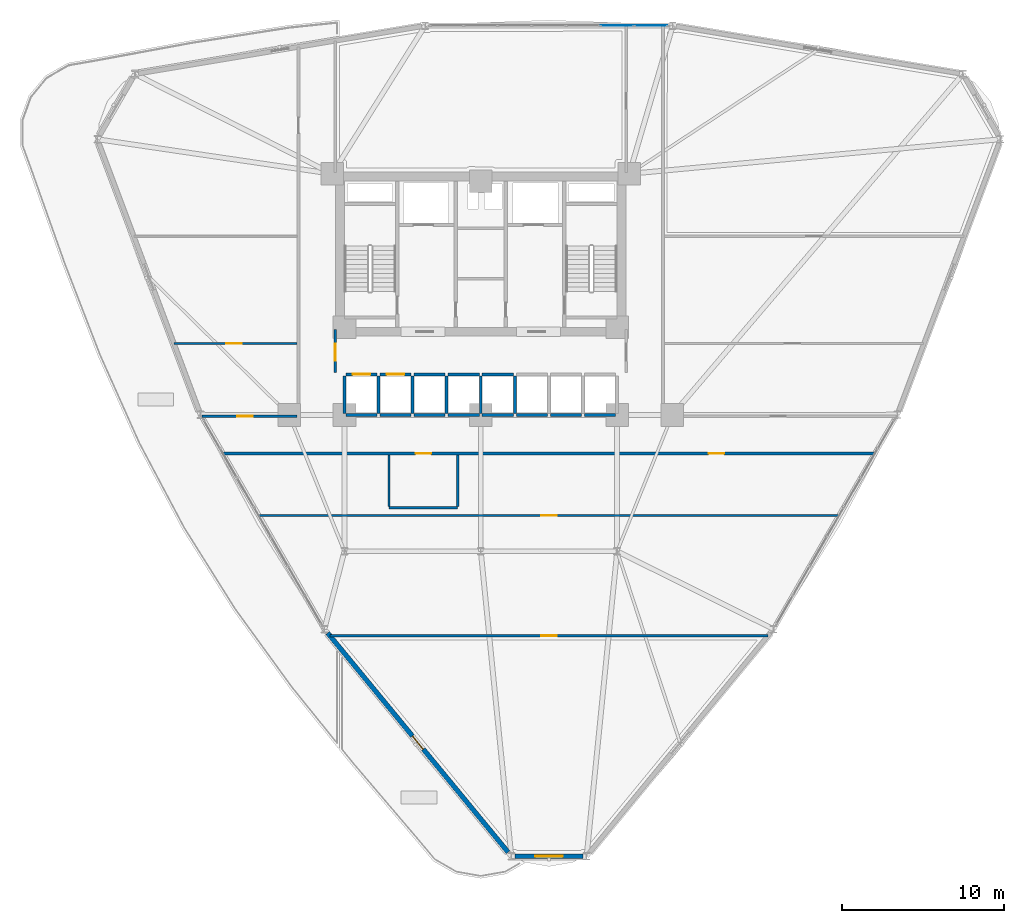
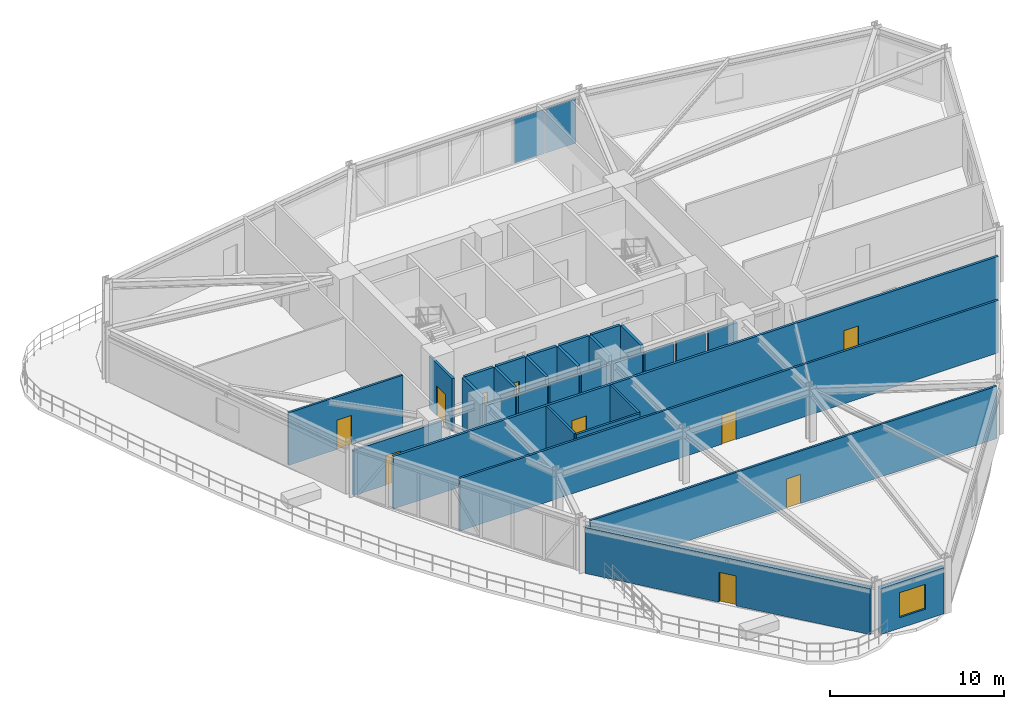
# One storey, part 14 of 21: 30 walls, 10 doors, 2 plates, 1 window, 11 openings, 1 element without a shape of its own.
"""IFC4 building model written with IfcOpenShell, lengths in metres."""

from ifc_helpers import new_model, si_unit, derived_unit, direction, frame, frame_2d, origin, origin_2d, place, context, subcontext, project, spatial, rectangle, extrude, source, transform, mapped, material, layer, layer_set, type_object, element, fill, aggregate, save


model = new_model("IFC4")

# Units and contexts
model_context = context("Model", 3, precision=1e-05, world=origin(), true_north=direction((0.0, 1.0)))
body_context = subcontext(model_context, "Body", "Model", "MODEL_VIEW")
ifc_project = project(units=[si_unit("LENGTHUNIT", "METRE"), si_unit("AREAUNIT", "SQUARE_METRE"), si_unit("VOLUMEUNIT", "CUBIC_METRE"), si_unit("PLANEANGLEUNIT", "RADIAN"), si_unit("MASSUNIT", "GRAM", prefix="KILO"), derived_unit("THERMALTRANSMITTANCEUNIT", [(si_unit("POWERUNIT", "WATT"), 1), (si_unit("LENGTHUNIT", "METRE"), -2), (si_unit("THERMODYNAMICTEMPERATUREUNIT", "KELVIN"), -1)])], contexts=[model_context])

# Site, building, storey
site_placement = place(None, origin())
site = spatial("IfcSite", under=ifc_project, at=site_placement, CompositionType="ELEMENT")
building_placement = place(site_placement, origin())
building = spatial("IfcBuilding", under=site, at=building_placement, Name="Korsvarv Bourse and Concert Hall", CompositionType="ELEMENT")
storey_placement = place(building_placement, frame((0.0, 0.0, 63.89990234375)))
storey = spatial("IfcBuildingStorey", under=building, at=storey_placement, Name="L15", CompositionType="ELEMENT", Elevation=63.89990234375)

# Curtain wall, plates
ifc_material_1 = material(Name="Anodised aluminium and triple low-E glazing", Category="glass")
ifc_layer_1 = layer(ifc_material_1, 0.219970703125)
ifc_layer_set_1 = layer_set([ifc_layer_1], Name="Anodised aluminium and triple low-E glazing")
curtain_wall_type = type_object("IfcCurtainWallType", Name="CW-SYS-1", PredefinedType="NOTDEFINED", material=ifc_layer_set_1)
curtain_wall_placement = place(storey_placement, origin())
curtain_wall = element("IfcCurtainWall", 1, at=curtain_wall_placement, inside=storey, type_object=curtain_wall_type, Name="L15 CW1 curtain wall CW-L15-F03", PredefinedType="NOTDEFINED")
ifc_material_2 = material(Name="Insulated spandrel glass", Category="glass")
ifc_layer_2 = layer(ifc_material_2, 0.031982421875)
ifc_layer_set_2 = layer_set([ifc_layer_2], Name="Insulated spandrel glass")
plate_type_1 = type_object("IfcPlateType", Name="CWP-SPD1", PredefinedType="CURTAIN_PANEL", material=ifc_layer_set_2)
shared_shape_1 = source(origin(), body_context, "Body", "SweptSolid", [
    extrude(rectangle(XDim=1.999267578125, YDim=0.031982421875, at=origin_2d()), origin(), (0.0, 0.0, 1.0), 3.10009765625),
])
plate_1_placement = place(storey_placement, frame((46.4951171875, 56.376708984375, 0.06494140625), z_axis=(0.0, 0.0, 1.0), x_axis=(-1.0, 0.0, 0.0)))
plate_1 = element("IfcPlate", 2, at=plate_1_placement, type_object=plate_type_1, Name="CW1 spandrel shadow-box panel 1.1", PredefinedType="CURTAIN_PANEL", context=body_context, shape_type="MappedRepresentation", body=[
    mapped(shared_shape_1, transform((0.0, 0.0, 0.0), scale=1.0)),
])
ifc_material_3 = material(Name="Tempered triple insulated low-E architectural glass", Category="glass")
ifc_layer_3 = layer(ifc_material_3, 0.035888671875)
ifc_layer_set_3 = layer_set([ifc_layer_3], Name="Tempered triple insulated low-E architectural glass")
plate_type_2 = type_object("IfcPlateType", Name="CWP-VIS1", PredefinedType="CURTAIN_PANEL", material=ifc_layer_set_3)
shared_shape_2 = source(origin(), body_context, "Body", "SweptSolid", [
    extrude(rectangle(XDim=2.0341796875, YDim=0.035888671875, at=origin_2d()), origin(), (0.0, 0.0, 1.0), 3.10009765625),
])
plate_2_placement = place(storey_placement, frame((44.408447265625, 56.376708984375, 0.06494140625), z_axis=(0.0, 0.0, 1.0), x_axis=(-1.0, 0.0, 0.0)))
plate_2 = element("IfcPlate", 3, at=plate_2_placement, type_object=plate_type_2, Name="CW1 faceted panel 2.1", PredefinedType="CURTAIN_PANEL", context=body_context, shape_type="MappedRepresentation", body=[
    mapped(shared_shape_2, transform((0.0, 0.0, 0.0), scale=1.0)),
])
aggregate(curtain_wall, [plate_1, plate_2])

# Wall, opening, door
ifc_material_4 = material(Name="Precast concrete C45/55 with terracotta rainscreen", Category="concrete")
ifc_layer_4 = layer(ifc_material_4, 0.300048828125)
ifc_layer_set_4 = layer_set([ifc_layer_4], Name="Precast concrete C45/55 with terracotta rainscreen")
wall_type_1 = type_object("IfcWallType", Name="WL-EXT-TC1", PredefinedType="SOLIDWALL", material=ifc_layer_set_4)
wall_1_placement = place(storey_placement, frame((26.56591796875, 18.964599609375, 0.0), z_axis=(0.0, 0.0, 1.0), x_axis=(0.635547248194, -0.772061976342, 0.0)))
wall_1 = element("IfcWall", 4, at=wall_1_placement, inside=storey, type_object=wall_type_1, Name="L15 terracotta exterior wall EW-L15-B08", PredefinedType="SOLIDWALL", context=body_context, shape_type="SweptSolid", body=[
    extrude(rectangle(XDim=17.490478515625, YDim=0.300048828125, at=frame_2d((8.7451171875, 0.0))), origin(), (0.0, 0.0, 1.0), 3.22998046875),
])
opening_1_placement = place(wall_1_placement, frame((8.22021484375, 0.0, 0.0)))
opening_1 = element("IfcOpeningElement", 5, at=opening_1_placement, cuts=wall_1, Name="Opening ED-02", PredefinedType="OPENING", context=body_context, shape_type="SweptSolid", body=[
    extrude(rectangle(XDim=1.050048828125, YDim=2.10009765625, at=frame_2d((0.52490234375, 1.050048828125))), frame((0.0, 0.16015625, 0.0), z_axis=(0.0, -1.0, 0.0), x_axis=(1.0, 0.0, 0.0)), (0.0, 0.0, 1.0), 0.320068359375),
])
ifc_material_5 = material(Name="Thermally broken anodised aluminium and laminated safety glass", Category="aluminium")
door_type_1 = type_object("IfcDoorType", Name="DR-EXT-TERR", OperationType="NOTDEFINED", PredefinedType="DOOR", material=ifc_material_5)
door_1_placement = place(opening_1_placement, frame((1.050048828125, 0.0, 0.0), z_axis=(0.0, 0.0, 1.0), x_axis=(-1.0, 0.0, 0.0)))
door_1 = element("IfcDoor", 6, at=door_1_placement, inside=storey, type_object=door_type_1, Name="L15 Sky Garden Terrace Access Door", OperationType="SINGLE_SWING_LEFT", OverallHeight=2.10009765625, OverallWidth=1.050048828125, PredefinedType="DOOR", context=body_context, shape_type="SweptSolid", body=[
    extrude(rectangle(XDim=1.050048828125, YDim=2.10009765625, at=frame_2d((0.52490234375, 1.050048828125))), frame((0.0, 0.02490234375, 0.0), z_axis=(0.0, -1.0, 0.0), x_axis=(1.0, 0.0, 0.0)), (0.0, 0.0, 1.0), 0.050048828125),
])
fill(opening_1, door_1)

# Wall, opening, window
wall_2_placement = place(storey_placement, frame((38.097900390625, 5.218994140625, 0.0), z_axis=(0.0, 0.0, 1.0), x_axis=(1.0, 0.0, 0.0)))
wall_2 = element("IfcWall", 7, at=wall_2_placement, inside=storey, type_object=wall_type_1, Name="L15 terracotta exterior wall EW-L15-B09", PredefinedType="SOLIDWALL", context=body_context, shape_type="SweptSolid", body=[
    extrude(rectangle(XDim=4.2041015625, YDim=0.300048828125, at=frame_2d((2.10205078125, 0.0))), origin(), (0.0, 0.0, 1.0), 3.22998046875),
])
opening_2_placement = place(wall_2_placement, frame((1.251953125, 0.0, 0.75)))
opening_2 = element("IfcOpeningElement", 8, at=opening_2_placement, cuts=wall_2, Name="Opening W-01", PredefinedType="OPENING", context=body_context, shape_type="SweptSolid", body=[
    extrude(rectangle(XDim=1.699951171875, YDim=1.75, at=frame_2d((0.85009765625, 0.875))), frame((0.0, 0.16015625, 0.0), z_axis=(0.0, -1.0, 0.0), x_axis=(1.0, 0.0, 0.0)), (0.0, 0.0, 1.0), 0.320068359375),
])
ifc_material_6 = material(Name="Thermally broken aluminium frame with triple low-E glass", Category="glass")
window_type = type_object("IfcWindowType", Name="WIN-TW1", PartitioningType="SINGLE_PANEL", PredefinedType="WINDOW", material=ifc_material_6)
window_placement = place(opening_2_placement, origin())
window = element("IfcWindow", 9, at=window_placement, inside=storey, type_object=window_type, Name="L15 punched facade window W-01", OverallHeight=1.75, OverallWidth=1.699951171875, PartitioningType="SINGLE_PANEL", PredefinedType="WINDOW", context=body_context, shape_type="SweptSolid", body=[
    extrude(rectangle(XDim=1.699951171875, YDim=1.75, at=frame_2d((0.85009765625, 0.875))), frame((0.0, 0.030029296875, 0.0), z_axis=(0.0, -1.0, 0.0), x_axis=(1.0, 0.0, 0.0)), (0.0, 0.0, 1.0), 0.06005859375),
])
fill(opening_2, window)

# Wall, opening, door
ifc_material_7 = material(Name="Double-stud fire-rated acoustic partition", Category="gypsum")
ifc_layer_5 = layer(ifc_material_7, 0.159912109375)
ifc_layer_set_5 = layer_set([ifc_layer_5], Name="Double-stud fire-rated acoustic partition")
wall_type_2 = type_object("IfcWallType", Name="WL-INT-EI60", PredefinedType="PARTITIONING", material=ifc_layer_set_5)
wall_3_placement = place(storey_placement, frame((27.0400390625, 35.0, 0.0), z_axis=(0.0, 0.0, 1.0), x_axis=(0.0, 1.0, 0.0)))
wall_3 = element("IfcWall", 10, at=wall_3_placement, inside=storey, type_object=wall_type_2, Name="L15 interior partition wall W-L15-LOB-W", PredefinedType="PARTITIONING", context=body_context, shape_type="SweptSolid", body=[
    extrude(rectangle(XDim=2.64990234375, YDim=0.159912109375, at=frame_2d((1.324951171875, 0.0))), origin(), (0.0, 0.0, 1.0), 3.68017578125),
])
opening_3_placement = place(wall_3_placement, frame((0.75, 0.0, 0.0)))
opening_3 = element("IfcOpeningElement", 11, at=opening_3_placement, cuts=wall_3, Name="Opening D-01", PredefinedType="OPENING", context=body_context, shape_type="SweptSolid", body=[
    extrude(rectangle(XDim=1.050048828125, YDim=2.10009765625, at=frame_2d((0.52490234375, 1.050048828125))), frame((0.0, 0.08984375, 0.0), z_axis=(0.0, -1.0, 0.0), x_axis=(1.0, 0.0, 0.0)), (0.0, 0.0, 1.0), 0.179931640625),
])
ifc_material_8 = material(Name="Steel S355 fire door", Category="steel")
door_type_2 = type_object("IfcDoorType", Name="DR-FD60", OperationType="NOTDEFINED", PredefinedType="DOOR", material=ifc_material_8)
door_2_placement = place(opening_3_placement, frame((1.050048828125, 0.0, 0.0), z_axis=(0.0, 0.0, 1.0), x_axis=(-1.0, 0.0, 0.0)))
door_2 = element("IfcDoor", 12, at=door_2_placement, inside=storey, type_object=door_type_2, Name="L15 interior door DR-L15-LOBW", OperationType="SINGLE_SWING_LEFT", OverallHeight=2.10009765625, OverallWidth=1.050048828125, PredefinedType="DOOR", context=body_context, shape_type="SweptSolid", body=[
    extrude(rectangle(XDim=1.050048828125, YDim=2.10009765625, at=frame_2d((0.52490234375, 1.050048828125))), frame((0.0, 0.02490234375, 0.0), z_axis=(0.0, -1.0, 0.0), x_axis=(1.0, 0.0, 0.0)), (0.0, 0.0, 1.0), 0.050048828125),
])
fill(opening_3, door_2)

# Wall, openings, doors
wall_4_placement = place(storey_placement, frame((20.140625, 30.02490234375, 0.0), z_axis=(0.0, 0.0, 1.0), x_axis=(1.0, 0.0, 0.0)))
wall_4 = element("IfcWall", 13, at=wall_4_placement, inside=storey, type_object=wall_type_2, Name="L15 interior partition wall W-L15-TCOR-01", PredefinedType="PARTITIONING", context=body_context, shape_type="SweptSolid", body=[
    extrude(rectangle(XDim=40.118896484375, YDim=0.159912109375, at=frame_2d((20.0595703125, 0.0))), origin(), (0.0, 0.0, 1.0), 3.68017578125),
])
opening_4_placement = place(wall_4_placement, frame((11.844482421875, 0.0, 0.0)))
opening_4 = element("IfcOpeningElement", 14, at=opening_4_placement, cuts=wall_4, Name="Opening D-02", PredefinedType="OPENING", context=body_context, shape_type="SweptSolid", body=[
    extrude(rectangle(XDim=0.949951171875, YDim=2.050048828125, at=frame_2d((0.47509765625, 1.02490234375))), frame((0.0, 0.08984375, 0.0), z_axis=(0.0, -1.0, 0.0), x_axis=(1.0, 0.0, 0.0)), (0.0, 0.0, 1.0), 0.179931640625),
])
opening_5_placement = place(wall_4_placement, frame((29.8955078125, 0.0, 0.0)))
opening_5 = element("IfcOpeningElement", 15, at=opening_5_placement, cuts=wall_4, Name="Opening D-02", PredefinedType="OPENING", context=body_context, shape_type="SweptSolid", body=[
    extrude(rectangle(XDim=0.949951171875, YDim=2.050048828125, at=frame_2d((0.47509765625, 1.02490234375))), frame((0.0, 0.08984375, 0.0), z_axis=(0.0, -1.0, 0.0), x_axis=(1.0, 0.0, 0.0)), (0.0, 0.0, 1.0), 0.179931640625),
])
ifc_material_9 = material(Name="Timber and steel acoustic fire door", Category="wood")
door_type_3 = type_object("IfcDoorType", Name="DR-FD30", OperationType="NOTDEFINED", PredefinedType="DOOR", material=ifc_material_9)
door_3_placement = place(opening_4_placement, origin())
door_3 = element("IfcDoor", 16, at=door_3_placement, inside=storey, type_object=door_type_3, Name="L15 interior door DR-L15-TCOR-RWC", OperationType="SINGLE_SWING_LEFT", OverallHeight=2.050048828125, OverallWidth=0.949951171875, PredefinedType="DOOR", context=body_context, shape_type="SweptSolid", body=[
    extrude(rectangle(XDim=0.949951171875, YDim=2.050048828125, at=frame_2d((0.47509765625, 1.02490234375))), frame((0.0, 0.02490234375, 0.0), z_axis=(0.0, -1.0, 0.0), x_axis=(1.0, 0.0, 0.0)), (0.0, 0.0, 1.0), 0.050048828125),
])
fill(opening_4, door_3)
door_4_placement = place(opening_5_placement, origin())
door_4 = element("IfcDoor", 17, at=door_4_placement, inside=storey, type_object=door_type_3, Name="L15 interior door DR-L15-TCOR-QT16", OperationType="SINGLE_SWING_RIGHT", OverallHeight=2.050048828125, OverallWidth=0.949951171875, PredefinedType="DOOR", context=body_context, shape_type="SweptSolid", body=[
    extrude(rectangle(XDim=0.949951171875, YDim=2.050048828125, at=frame_2d((0.47509765625, 1.02490234375))), frame((0.0, 0.02490234375, 0.0), z_axis=(0.0, -1.0, 0.0), x_axis=(1.0, 0.0, 0.0)), (0.0, 0.0, 1.0), 0.050048828125),
])
fill(opening_5, door_4)

# Wall, opening, door
wall_5_placement = place(storey_placement, frame((18.818359375, 32.31494140625, 0.0), z_axis=(0.0, 0.0, 1.0), x_axis=(1.0, 0.0, 0.0)))
wall_5 = element("IfcWall", 18, at=wall_5_placement, inside=storey, type_object=wall_type_2, Name="L15 interior partition wall W-L15-TCOR-07", PredefinedType="PARTITIONING", context=body_context, shape_type="SweptSolid", body=[
    extrude(rectangle(XDim=5.874755859375, YDim=0.159912109375, at=frame_2d((2.9375, 0.0))), origin(), (0.0, 0.0, 1.0), 3.18017578125),
])
opening_6_placement = place(wall_5_placement, frame((2.17236328125, 0.0, 0.0)))
opening_6 = element("IfcOpeningElement", 19, at=opening_6_placement, cuts=wall_5, Name="Opening D-02", PredefinedType="OPENING", context=body_context, shape_type="SweptSolid", body=[
    extrude(rectangle(XDim=0.949951171875, YDim=2.050048828125, at=frame_2d((0.47509765625, 1.02490234375))), frame((0.0, 0.08984375, 0.0), z_axis=(0.0, -1.0, 0.0), x_axis=(1.0, 0.0, 0.0)), (0.0, 0.0, 1.0), 0.179931640625),
])
door_5_placement = place(opening_6_placement, origin())
door_5 = element("IfcDoor", 20, at=door_5_placement, inside=storey, type_object=door_type_3, Name="L15 interior door DR-L15-TCOR-QT48", OperationType="SINGLE_SWING_RIGHT", OverallHeight=2.050048828125, OverallWidth=0.949951171875, PredefinedType="DOOR", context=body_context, shape_type="SweptSolid", body=[
    extrude(rectangle(XDim=0.949951171875, YDim=2.050048828125, at=frame_2d((0.47509765625, 1.02490234375))), frame((0.0, 0.02490234375, 0.0), z_axis=(0.0, -1.0, 0.0), x_axis=(1.0, 0.0, 0.0)), (0.0, 0.0, 1.0), 0.050048828125),
])
fill(opening_6, door_5)

ifc_material_10 = material(Name="Gypsum-clad autoclaved concrete shaft wall C30/37", Category="concrete")
ifc_layer_6 = layer(ifc_material_10, 0.179931640625)
ifc_layer_set_6 = layer_set([ifc_layer_6], Name="Gypsum-clad autoclaved concrete shaft wall C30/37")
wall_type_3 = type_object("IfcWallType", Name="WL-INT-EI90", PredefinedType="PARTITIONING", material=ifc_layer_set_6)
wall_6_placement = place(storey_placement, frame((27.68994140625, 34.89990234375, 0.0), z_axis=(0.0, 0.0, 1.0), x_axis=(1.0, 0.0, 0.0)))
wall_6 = element("IfcWall", 21, at=wall_6_placement, inside=storey, type_object=wall_type_3, Name="L15 interior partition wall W-L15-SHFN-PL1", PredefinedType="PARTITIONING", context=body_context, shape_type="SweptSolid", body=[
    extrude(rectangle(XDim=1.920166015625, YDim=0.179931640625, at=frame_2d((0.9599609375, 0.0))), origin(), (0.0, 0.0, 1.0), 3.68017578125),
])
opening_7_placement = place(wall_6_placement, frame((0.409912109375, 0.0, 0.0)))
opening_7 = element("IfcOpeningElement", 22, at=opening_7_placement, cuts=wall_6, Name="Opening LD-2", PredefinedType="OPENING", context=body_context, shape_type="SweptSolid", body=[
    extrude(rectangle(XDim=1.10009765625, YDim=2.10009765625, at=frame_2d((0.550048828125, 1.050048828125))), frame((0.0, 0.10009765625, 0.0), z_axis=(0.0, -1.0, 0.0), x_axis=(1.0, 0.0, 0.0)), (0.0, 0.0, 1.0), 0.199951171875),
])
ifc_material_11 = material(Name="Brushed stainless Steel S355 lift landing door", Category="steel")
door_type_4 = type_object("IfcDoorType", Name="DR-LIFT-P", OperationType="DOUBLE_DOOR_SLIDING", PredefinedType="DOOR", material=ifc_material_11)
door_6_placement = place(opening_7_placement, origin())
door_6 = element("IfcDoor", 23, at=door_6_placement, inside=storey, type_object=door_type_4, Name="L15 lift sliding landing door LD-L15-PL1", OperationType="DOUBLE_DOOR_SLIDING", OverallHeight=2.10009765625, OverallWidth=1.10009765625, PredefinedType="DOOR", context=body_context, shape_type="SweptSolid", body=[
    extrude(rectangle(XDim=1.10009765625, YDim=2.10009765625, at=frame_2d((0.550048828125, 1.050048828125))), frame((0.0, 0.02490234375, 0.0), z_axis=(0.0, -1.0, 0.0), x_axis=(1.0, 0.0, 0.0)), (0.0, 0.0, 1.0), 0.050048828125),
])
fill(opening_7, door_6)

# Walls
wall_7_placement = place(storey_placement, frame((27.68994140625, 32.39990234375, 0.0), z_axis=(0.0, 0.0, 1.0), x_axis=(1.0, 0.0, 0.0)))
element("IfcWall", 24, at=wall_7_placement, inside=storey, type_object=wall_type_3, Name="L15 interior partition wall W-L15-SHFS-PL1", PredefinedType="PARTITIONING", context=body_context, shape_type="SweptSolid", body=[
    extrude(rectangle(XDim=1.920166015625, YDim=0.179931640625, at=frame_2d((0.9599609375, 0.0))), origin(), (0.0, 0.0, 1.0), 3.18017578125),
])
wall_8_placement = place(storey_placement, frame((27.60009765625, 32.489990234375, 0.0), z_axis=(0.0, 0.0, 1.0), x_axis=(0.0, 1.0, 0.0)))
element("IfcWall", 25, at=wall_8_placement, inside=storey, type_object=wall_type_3, Name="L15 interior partition wall W-L15-SHFW-PL1", PredefinedType="PARTITIONING", context=body_context, shape_type="SweptSolid", body=[
    extrude(rectangle(XDim=2.320068359375, YDim=0.179931640625, at=frame_2d((1.16015625, 0.0))), origin(), (0.0, 0.0, 1.0), 3.68017578125),
])

# Wall, opening, door
wall_9_placement = place(storey_placement, frame((29.7900390625, 34.89990234375, 0.0), z_axis=(0.0, 0.0, 1.0), x_axis=(1.0, 0.0, 0.0)))
wall_9 = element("IfcWall", 26, at=wall_9_placement, inside=storey, type_object=wall_type_3, Name="L15 interior partition wall W-L15-SHFN-PL2", PredefinedType="PARTITIONING", context=body_context, shape_type="SweptSolid", body=[
    extrude(rectangle(XDim=1.919921875, YDim=0.179931640625, at=frame_2d((0.9599609375, 0.0))), origin(), (0.0, 0.0, 1.0), 3.68017578125),
])
opening_8_placement = place(wall_9_placement, frame((0.409912109375, 0.0, 0.0)))
opening_8 = element("IfcOpeningElement", 27, at=opening_8_placement, cuts=wall_9, Name="Opening LD-2", PredefinedType="OPENING", context=body_context, shape_type="SweptSolid", body=[
    extrude(rectangle(XDim=1.10009765625, YDim=2.10009765625, at=frame_2d((0.550048828125, 1.050048828125))), frame((0.0, 0.10009765625, 0.0), z_axis=(0.0, -1.0, 0.0), x_axis=(1.0, 0.0, 0.0)), (0.0, 0.0, 1.0), 0.199951171875),
])
door_7_placement = place(opening_8_placement, origin())
door_7 = element("IfcDoor", 28, at=door_7_placement, inside=storey, type_object=door_type_4, Name="L15 lift sliding landing door LD-L15-PL2", OperationType="DOUBLE_DOOR_SLIDING", OverallHeight=2.10009765625, OverallWidth=1.10009765625, PredefinedType="DOOR", context=body_context, shape_type="SweptSolid", body=[
    extrude(rectangle(XDim=1.10009765625, YDim=2.10009765625, at=frame_2d((0.550048828125, 1.050048828125))), frame((0.0, 0.02490234375, 0.0), z_axis=(0.0, -1.0, 0.0), x_axis=(1.0, 0.0, 0.0)), (0.0, 0.0, 1.0), 0.050048828125),
])
fill(opening_8, door_7)

# Walls
wall_10_placement = place(storey_placement, frame((29.7900390625, 32.39990234375, 0.0), z_axis=(0.0, 0.0, 1.0), x_axis=(1.0, 0.0, 0.0)))
element("IfcWall", 29, at=wall_10_placement, inside=storey, type_object=wall_type_3, Name="L15 interior partition wall W-L15-SHFS-PL2", PredefinedType="PARTITIONING", context=body_context, shape_type="SweptSolid", body=[
    extrude(rectangle(XDim=1.919921875, YDim=0.179931640625, at=frame_2d((0.9599609375, 0.0))), origin(), (0.0, 0.0, 1.0), 3.18017578125),
])
wall_11_placement = place(storey_placement, frame((29.699951171875, 32.489990234375, 0.0), z_axis=(0.0, 0.0, 1.0), x_axis=(0.0, 1.0, 0.0)))
element("IfcWall", 30, at=wall_11_placement, inside=storey, type_object=wall_type_3, Name="L15 interior partition wall W-L15-SHFW-PL2", PredefinedType="PARTITIONING", context=body_context, shape_type="SweptSolid", body=[
    extrude(rectangle(XDim=2.320068359375, YDim=0.179931640625, at=frame_2d((1.16015625, 0.0))), origin(), (0.0, 0.0, 1.0), 3.68017578125),
])
wall_12_placement = place(storey_placement, frame((31.889892578125, 34.89990234375, 0.0), z_axis=(0.0, 0.0, 1.0), x_axis=(1.0, 0.0, 0.0)))
element("IfcWall", 31, at=wall_12_placement, inside=storey, type_object=wall_type_3, Name="L15 interior partition wall W-L15-SHFN-PM1", PredefinedType="PARTITIONING", context=body_context, shape_type="SweptSolid", body=[
    extrude(rectangle(XDim=1.920166015625, YDim=0.179931640625, at=frame_2d((0.9599609375, 0.0))), origin(), (0.0, 0.0, 1.0), 3.68017578125),
])
wall_13_placement = place(storey_placement, frame((31.889892578125, 32.39990234375, 0.0), z_axis=(0.0, 0.0, 1.0), x_axis=(1.0, 0.0, 0.0)))
element("IfcWall", 32, at=wall_13_placement, inside=storey, type_object=wall_type_3, Name="L15 interior partition wall W-L15-SHFS-PM1", PredefinedType="PARTITIONING", context=body_context, shape_type="SweptSolid", body=[
    extrude(rectangle(XDim=1.920166015625, YDim=0.179931640625, at=frame_2d((0.9599609375, 0.0))), origin(), (0.0, 0.0, 1.0), 3.18017578125),
])
wall_14_placement = place(storey_placement, frame((31.800048828125, 32.489990234375, 0.0), z_axis=(0.0, 0.0, 1.0), x_axis=(0.0, 1.0, 0.0)))
element("IfcWall", 33, at=wall_14_placement, inside=storey, type_object=wall_type_3, Name="L15 interior partition wall W-L15-SHFW-PM1", PredefinedType="PARTITIONING", context=body_context, shape_type="SweptSolid", body=[
    extrude(rectangle(XDim=2.320068359375, YDim=0.179931640625, at=frame_2d((1.16015625, 0.0))), origin(), (0.0, 0.0, 1.0), 3.68017578125),
])
wall_15_placement = place(storey_placement, frame((33.989990234375, 34.89990234375, 0.0), z_axis=(0.0, 0.0, 1.0), x_axis=(1.0, 0.0, 0.0)))
element("IfcWall", 34, at=wall_15_placement, inside=storey, type_object=wall_type_3, Name="L15 interior partition wall W-L15-SHFN-PM2", PredefinedType="PARTITIONING", context=body_context, shape_type="SweptSolid", body=[
    extrude(rectangle(XDim=1.919921875, YDim=0.179931640625, at=frame_2d((0.9599609375, 0.0))), origin(), (0.0, 0.0, 1.0), 3.68017578125),
])
wall_16_placement = place(storey_placement, frame((33.989990234375, 32.39990234375, 0.0), z_axis=(0.0, 0.0, 1.0), x_axis=(1.0, 0.0, 0.0)))
element("IfcWall", 35, at=wall_16_placement, inside=storey, type_object=wall_type_3, Name="L15 interior partition wall W-L15-SHFS-PM2", PredefinedType="PARTITIONING", context=body_context, shape_type="SweptSolid", body=[
    extrude(rectangle(XDim=1.919921875, YDim=0.179931640625, at=frame_2d((0.9599609375, 0.0))), origin(), (0.0, 0.0, 1.0), 3.18017578125),
])
wall_17_placement = place(storey_placement, frame((33.89990234375, 32.489990234375, 0.0), z_axis=(0.0, 0.0, 1.0), x_axis=(0.0, 1.0, 0.0)))
element("IfcWall", 36, at=wall_17_placement, inside=storey, type_object=wall_type_3, Name="L15 interior partition wall W-L15-SHFW-PM2", PredefinedType="PARTITIONING", context=body_context, shape_type="SweptSolid", body=[
    extrude(rectangle(XDim=2.320068359375, YDim=0.179931640625, at=frame_2d((1.16015625, 0.0))), origin(), (0.0, 0.0, 1.0), 3.68017578125),
])
wall_18_placement = place(storey_placement, frame((36.090087890625, 34.89990234375, 0.0), z_axis=(0.0, 0.0, 1.0), x_axis=(1.0, 0.0, 0.0)))
element("IfcWall", 37, at=wall_18_placement, inside=storey, type_object=wall_type_3, Name="L15 interior partition wall W-L15-SHFN-PH1", PredefinedType="PARTITIONING", context=body_context, shape_type="SweptSolid", body=[
    extrude(rectangle(XDim=1.919921875, YDim=0.179931640625, at=frame_2d((0.9599609375, 0.0))), origin(), (0.0, 0.0, 1.0), 3.68017578125),
])
wall_19_placement = place(storey_placement, frame((36.090087890625, 32.39990234375, 0.0), z_axis=(0.0, 0.0, 1.0), x_axis=(1.0, 0.0, 0.0)))
element("IfcWall", 38, at=wall_19_placement, inside=storey, type_object=wall_type_3, Name="L15 interior partition wall W-L15-SHFS-PH1", PredefinedType="PARTITIONING", context=body_context, shape_type="SweptSolid", body=[
    extrude(rectangle(XDim=1.919921875, YDim=0.179931640625, at=frame_2d((0.9599609375, 0.0))), origin(), (0.0, 0.0, 1.0), 3.18017578125),
])
wall_20_placement = place(storey_placement, frame((36.0, 32.489990234375, 0.0), z_axis=(0.0, 0.0, 1.0), x_axis=(0.0, 1.0, 0.0)))
element("IfcWall", 39, at=wall_20_placement, inside=storey, type_object=wall_type_3, Name="L15 interior partition wall W-L15-SHFW-PH1", PredefinedType="PARTITIONING", context=body_context, shape_type="SweptSolid", body=[
    extrude(rectangle(XDim=2.320068359375, YDim=0.179931640625, at=frame_2d((1.16015625, 0.0))), origin(), (0.0, 0.0, 1.0), 3.68017578125),
])
wall_21_placement = place(storey_placement, frame((38.18994140625, 32.39990234375, 0.0), z_axis=(0.0, 0.0, 1.0), x_axis=(1.0, 0.0, 0.0)))
element("IfcWall", 40, at=wall_21_placement, inside=storey, type_object=wall_type_3, Name="L15 interior partition wall W-L15-SHFS-PH2", PredefinedType="PARTITIONING", context=body_context, shape_type="SweptSolid", body=[
    extrude(rectangle(XDim=1.920166015625, YDim=0.179931640625, at=frame_2d((0.9599609375, 0.0))), origin(), (0.0, 0.0, 1.0), 3.18017578125),
])
wall_22_placement = place(storey_placement, frame((38.10009765625, 32.489990234375, 0.0), z_axis=(0.0, 0.0, 1.0), x_axis=(0.0, 1.0, 0.0)))
element("IfcWall", 41, at=wall_22_placement, inside=storey, type_object=wall_type_3, Name="L15 interior partition wall W-L15-SHFW-PH2", PredefinedType="PARTITIONING", context=body_context, shape_type="SweptSolid", body=[
    extrude(rectangle(XDim=2.320068359375, YDim=0.179931640625, at=frame_2d((1.16015625, 0.0))), origin(), (0.0, 0.0, 1.0), 3.68017578125),
])
wall_23_placement = place(storey_placement, frame((40.2900390625, 32.39990234375, 0.0), z_axis=(0.0, 0.0, 1.0), x_axis=(1.0, 0.0, 0.0)))
element("IfcWall", 42, at=wall_23_placement, inside=storey, type_object=wall_type_3, Name="L15 interior partition wall W-L15-SHFS-PO1", PredefinedType="PARTITIONING", context=body_context, shape_type="SweptSolid", body=[
    extrude(rectangle(XDim=1.919921875, YDim=0.179931640625, at=frame_2d((0.9599609375, 0.0))), origin(), (0.0, 0.0, 1.0), 3.18017578125),
])
wall_24_placement = place(storey_placement, frame((42.389892578125, 32.39990234375, 0.0), z_axis=(0.0, 0.0, 1.0), x_axis=(1.0, 0.0, 0.0)))
element("IfcWall", 43, at=wall_24_placement, inside=storey, type_object=wall_type_3, Name="L15 interior partition wall W-L15-SHFS-PO2", PredefinedType="PARTITIONING", context=body_context, shape_type="SweptSolid", body=[
    extrude(rectangle(XDim=1.920166015625, YDim=0.179931640625, at=frame_2d((0.9599609375, 0.0))), origin(), (0.0, 0.0, 1.0), 3.18017578125),
])

# Wall, opening, door
ifc_material_12 = material(Name="Insulated steel-stud office acoustic partition", Category="gypsum")
ifc_layer_7 = layer(ifc_material_12, 0.139892578125)
ifc_layer_set_7 = layer_set([ifc_layer_7], Name="Insulated steel-stud office acoustic partition")
wall_type_4 = type_object("IfcWallType", Name="WL-INT-P1", PredefinedType="PARTITIONING", material=ifc_layer_set_7)
wall_25_placement = place(storey_placement, frame((22.34619140625, 26.205078125, 0.0), z_axis=(0.0, 0.0, 1.0), x_axis=(1.0, 0.0, 0.0)))
wall_25 = element("IfcWall", 44, at=wall_25_placement, inside=storey, type_object=wall_type_4, Name="L15 interior partition wall W-L15-TCOR-08", PredefinedType="PARTITIONING", context=body_context, shape_type="SweptSolid", body=[
    extrude(rectangle(XDim=35.707763671875, YDim=0.139892578125, at=frame_2d((17.85400390625, 0.0))), origin(), (0.0, 0.0, 1.0), 3.68017578125),
])
opening_9_placement = place(wall_25_placement, frame((17.37890625, 0.0, 0.0)))
opening_9 = element("IfcOpeningElement", 45, at=opening_9_placement, cuts=wall_25, Name="Opening D-03", PredefinedType="OPENING", context=body_context, shape_type="SweptSolid", body=[
    extrude(rectangle(XDim=0.949951171875, YDim=2.050048828125, at=frame_2d((0.47509765625, 1.02490234375))), frame((0.0, 0.080078125, 0.0), z_axis=(0.0, -1.0, 0.0), x_axis=(1.0, 0.0, 0.0)), (0.0, 0.0, 1.0), 0.159912109375),
])
ifc_material_13 = material(Name="Nordic oak acoustic office door", Category="wood")
door_type_5 = type_object("IfcDoorType", Name="DR-INT-1", OperationType="NOTDEFINED", PredefinedType="DOOR", material=ifc_material_13)
door_8_placement = place(opening_9_placement, origin())
door_8 = element("IfcDoor", 46, at=door_8_placement, inside=storey, type_object=door_type_5, Name="L15 interior door DR-L15-TCOR-QT25", OperationType="SINGLE_SWING_LEFT", OverallHeight=2.050048828125, OverallWidth=0.949951171875, PredefinedType="DOOR", context=body_context, shape_type="SweptSolid", body=[
    extrude(rectangle(XDim=0.949951171875, YDim=2.050048828125, at=frame_2d((0.47509765625, 1.02490234375))), frame((0.0, 0.02490234375, 0.0), z_axis=(0.0, -1.0, 0.0), x_axis=(1.0, 0.0, 0.0)), (0.0, 0.0, 1.0), 0.050048828125),
])
fill(opening_9, door_8)

wall_26_placement = place(storey_placement, frame((26.71728515625, 18.804931640625, 0.0), z_axis=(0.0, 0.0, 1.0), x_axis=(1.0, 0.0, 0.0)))
wall_26 = element("IfcWall", 47, at=wall_26_placement, inside=storey, type_object=wall_type_4, Name="L15 interior partition wall W-L15-TCOR-09", PredefinedType="PARTITIONING", context=body_context, shape_type="SweptSolid", body=[
    extrude(rectangle(XDim=26.96533203125, YDim=0.139892578125, at=frame_2d((13.482666015625, 0.0))), origin(), (0.0, 0.0, 1.0), 3.68017578125),
])
opening_10_placement = place(wall_26_placement, frame((13.0078125, 0.0, 0.0)))
opening_10 = element("IfcOpeningElement", 48, at=opening_10_placement, cuts=wall_26, Name="Opening D-03", PredefinedType="OPENING", context=body_context, shape_type="SweptSolid", body=[
    extrude(rectangle(XDim=0.949951171875, YDim=2.050048828125, at=frame_2d((0.47509765625, 1.02490234375))), frame((0.0, 0.080078125, 0.0), z_axis=(0.0, -1.0, 0.0), x_axis=(1.0, 0.0, 0.0)), (0.0, 0.0, 1.0), 0.159912109375),
])
door_9_placement = place(opening_10_placement, origin())
door_9 = element("IfcDoor", 49, at=door_9_placement, inside=storey, type_object=door_type_5, Name="L15 interior door DR-L15-TCOR-QT34", OperationType="SINGLE_SWING_RIGHT", OverallHeight=2.050048828125, OverallWidth=0.949951171875, PredefinedType="DOOR", context=body_context, shape_type="SweptSolid", body=[
    extrude(rectangle(XDim=0.949951171875, YDim=2.050048828125, at=frame_2d((0.47509765625, 1.02490234375))), frame((0.0, 0.02490234375, 0.0), z_axis=(0.0, -1.0, 0.0), x_axis=(1.0, 0.0, 0.0)), (0.0, 0.0, 1.0), 0.050048828125),
])
fill(opening_10, door_9)

wall_27_placement = place(storey_placement, frame((17.115478515625, 36.804931640625, 0.0), z_axis=(0.0, 0.0, 1.0), x_axis=(1.0, 0.0, 0.0)))
wall_27 = element("IfcWall", 50, at=wall_27_placement, inside=storey, type_object=wall_type_4, Name="L15 interior partition wall W-L15-TCOR-13", PredefinedType="PARTITIONING", context=body_context, shape_type="SweptSolid", body=[
    extrude(rectangle(XDim=7.57763671875, YDim=0.139892578125, at=frame_2d((3.788818359375, 0.0))), origin(), (0.0, 0.0, 1.0), 3.68017578125),
])
opening_11_placement = place(wall_27_placement, frame((3.21044921875, 0.0, 0.0)))
opening_11 = element("IfcOpeningElement", 51, at=opening_11_placement, cuts=wall_27, Name="Opening D-03", PredefinedType="OPENING", context=body_context, shape_type="SweptSolid", body=[
    extrude(rectangle(XDim=0.949951171875, YDim=2.050048828125, at=frame_2d((0.47509765625, 1.02490234375))), frame((0.0, 0.080078125, 0.0), z_axis=(0.0, -1.0, 0.0), x_axis=(1.0, 0.0, 0.0)), (0.0, 0.0, 1.0), 0.159912109375),
])
door_10_placement = place(opening_11_placement, origin())
door_10 = element("IfcDoor", 52, at=door_10_placement, inside=storey, type_object=door_type_5, Name="L15 interior door DR-L15-TCOR-QT59", OperationType="SINGLE_SWING_LEFT", OverallHeight=2.050048828125, OverallWidth=0.949951171875, PredefinedType="DOOR", context=body_context, shape_type="SweptSolid", body=[
    extrude(rectangle(XDim=0.949951171875, YDim=2.050048828125, at=frame_2d((0.47509765625, 1.02490234375))), frame((0.0, 0.02490234375, 0.0), z_axis=(0.0, -1.0, 0.0), x_axis=(1.0, 0.0, 0.0)), (0.0, 0.0, 1.0), 0.050048828125),
])
fill(opening_11, door_10)

# Walls
wall_28_placement = place(storey_placement, frame((30.340087890625, 26.675048828125, 0.0), z_axis=(0.0, 0.0, 1.0), x_axis=(1.0, 0.0, 0.0)))
element("IfcWall", 53, at=wall_28_placement, inside=storey, type_object=wall_type_4, Name="L15 interior partition wall W-L15-TCOR-14", PredefinedType="PARTITIONING", context=body_context, shape_type="SweptSolid", body=[
    extrude(rectangle(XDim=4.239990234375, YDim=0.139892578125, at=frame_2d((2.1201171875, 0.0))), origin(), (0.0, 0.0, 1.0), 3.68017578125),
])
for number, where, z_axis, x_axis, name in (
    (54, (34.574951171875, 26.7470703125, 0.0), (0.0, 0.0, 1.0), (0.0, 1.0, 0.0), "L15 interior partition wall W-L15-TCOR-15"),
    (55, (30.344970703125, 26.7470703125, 0.0), (0.0, 0.0, 1.0), (0.0, 1.0, 0.0), "L15 interior partition wall W-L15-TCOR-16"),
):
    element("IfcWall", number, at=place(storey_placement, frame(where, z_axis=z_axis, x_axis=x_axis)), inside=storey, type_object=wall_type_4, Name=name, PredefinedType="PARTITIONING", context=body_context, shape_type="SweptSolid", body=[
        extrude(rectangle(XDim=3.196044921875, YDim=0.139892578125, at=frame_2d((1.59814453125, 0.0))), origin(), (0.0, 0.0, 1.0), 3.68017578125),
    ])

save(model, "model.ifc")
